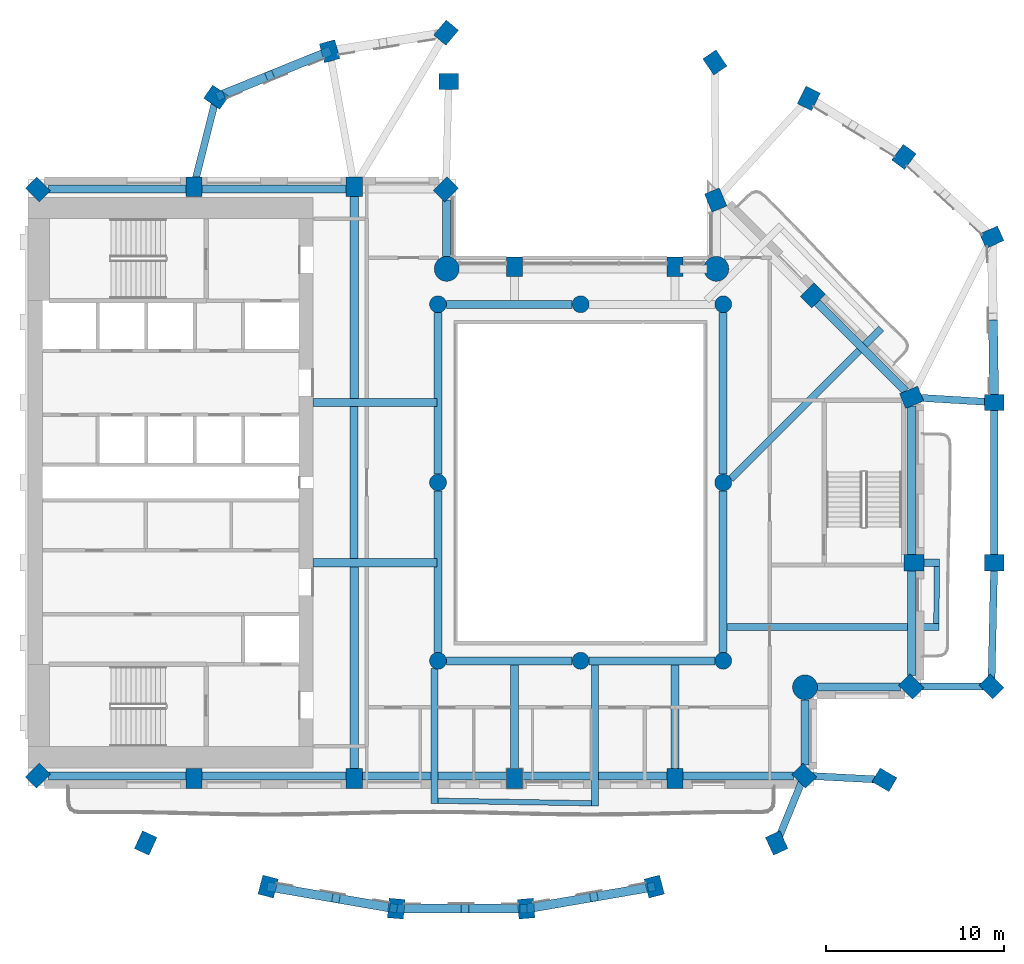
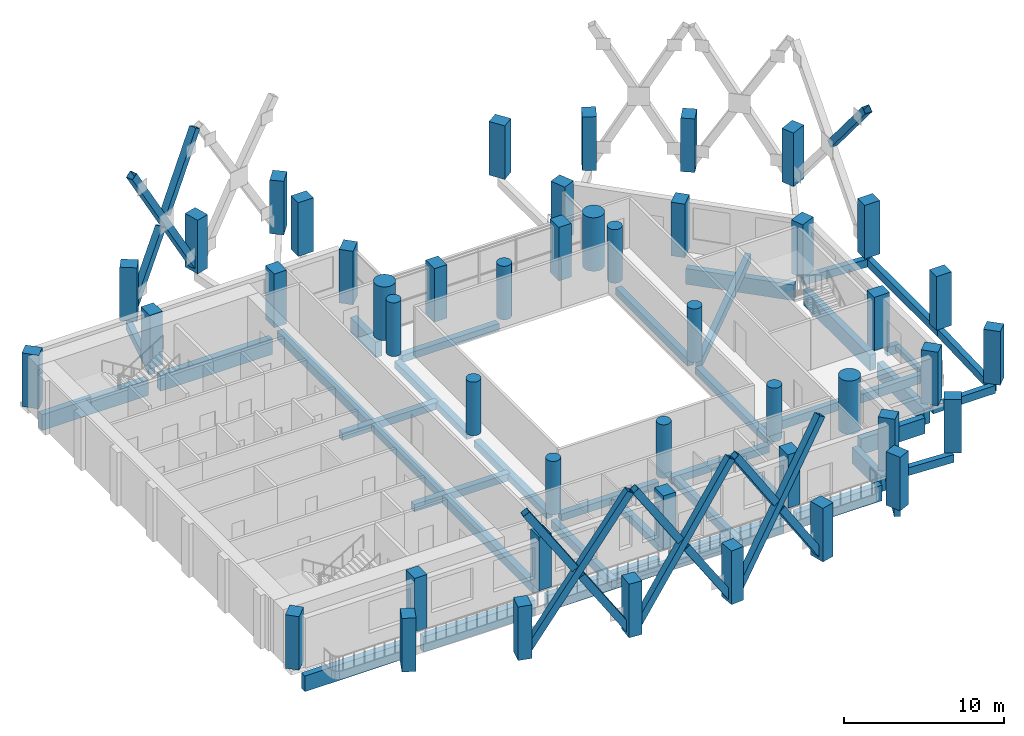
# One storey, part 1 of 15: 46 columns, 41 beams, 13 members.
"""IFC4 building model written with IfcOpenShell, lengths in metres."""

import ifcopenshell
import ifcopenshell.guid

model = None  # the IFC model being written
_history = None  # IfcOwnerHistory: only IFC2X3 demands one
_inside = {}  # id of a spatial element -> (the spatial element, [elements in it])
_under = {}  # id of a project, library or spatial element -> (it, [spatial elements below it])
_declared = {}  # id of a project -> (the project, [libraries it declares])
_typed = {}  # id of a type object -> (the type object, [elements of that type])
_made_of = {}  # id of a material, layer set ... -> (it, [elements and type objects made of it])


def new_model(schema):
    """Start an empty IFC model of exactly this schema.

    Asked for "IFC4X3", IfcOpenShell would pick the latest addendum, in which some entities
    have other attributes; the version numbers below select the first issue.
    IFC2X3 requires an IfcOwnerHistory on every rooted entity: one is made here for all.
    """
    global model, _history
    if schema == "IFC4X3":
        model = ifcopenshell.file(schema_version=(4, 3, 0, 0))
    else:
        model = ifcopenshell.file(schema=schema)
    _inside.clear()
    _under.clear()
    _declared.clear()
    _typed.clear()
    _made_of.clear()
    _history = None
    if model.schema == "IFC2X3":
        org = make("IfcOrganization", Name="unknown")
        user = make(
            "IfcPersonAndOrganization",
            ThePerson=make("IfcPerson", FamilyName="unknown"),
            TheOrganization=org,
        )
        app = make(
            "IfcApplication",
            ApplicationDeveloper=org,
            Version="unknown",
            ApplicationFullName="unknown",
            ApplicationIdentifier="unknown",
        )
        _history = make(
            "IfcOwnerHistory",
            OwningUser=user,
            OwningApplication=app,
            ChangeAction="ADDED",
            CreationDate=0,
        )
    return model


def make(cls, **values):
    """One entity of the class cls with the attributes given. An attribute that is None is left unset."""
    return model.create_entity(
        cls, **{name: value for name, value in values.items() if value is not None}
    )


def rooted(cls, **values):
    """An entity with a GlobalId (a new one), such as an element, a storey or a relation."""
    return make(cls, GlobalId=ifcopenshell.guid.new(), OwnerHistory=_history, **values)


def si_unit(unit_type, name, prefix=None):
    """IfcSIUnit, for example si_unit("LENGTHUNIT", "METRE", prefix="MILLI")."""
    return make("IfcSIUnit", UnitType=unit_type, Prefix=prefix, Name=name)


def assignment(units):
    """IfcUnitAssignment: the units of a project."""
    return None if units is None else make("IfcUnitAssignment", Units=units)


def point(xyz):
    """IfcCartesianPoint."""
    return None if xyz is None else make("IfcCartesianPoint", Coordinates=xyz)


def direction(xyz):
    """IfcDirection."""
    return None if xyz is None else make("IfcDirection", DirectionRatios=xyz)


def frame(location, z_axis=None, x_axis=None):
    """IfcAxis2Placement3D, a coordinate frame: its origin and axes. An axis left out is left unset."""
    return make(
        "IfcAxis2Placement3D",
        Location=point(location),
        Axis=direction(z_axis),
        RefDirection=direction(x_axis),
    )


def frame_2d(location, x_axis=None):
    """IfcAxis2Placement2D, a coordinate frame in the plane: its origin and x axis."""
    return make(
        "IfcAxis2Placement2D", Location=point(location), RefDirection=direction(x_axis)
    )


def origin():
    """The frame at (0, 0, 0) with its axes left unset."""
    return frame((0.0, 0.0, 0.0))


def origin_2d():
    """The frame at (0, 0) in the plane with its x axis left unset."""
    return frame_2d((0.0, 0.0))


def place(relative_to, where):
    """IfcLocalPlacement: puts the frame where relative to a parent placement (None: the world)."""
    return make(
        "IfcLocalPlacement", PlacementRelTo=relative_to, RelativePlacement=where
    )


def context(
    kind, dimensions, precision=None, world=None, true_north=None, identifier=None
):
    """IfcGeometricRepresentationContext, for example the 3D "Model" context."""
    return make(
        "IfcGeometricRepresentationContext",
        ContextIdentifier=identifier,
        ContextType=kind,
        CoordinateSpaceDimension=dimensions,
        Precision=precision,
        WorldCoordinateSystem=world,
        TrueNorth=true_north,
    )


def subcontext(parent, identifier, kind, view, scale=None):
    """IfcGeometricRepresentationSubContext, for example "Body" below "Model"."""
    return make(
        "IfcGeometricRepresentationSubContext",
        ContextIdentifier=identifier,
        ContextType=kind,
        ParentContext=parent,
        TargetScale=scale,
        TargetView=view,
    )


def project(units=None, contexts=None):
    """IfcProject with its units and contexts."""
    return rooted(
        "IfcProject",
        Name="project",
        RepresentationContexts=contexts,
        UnitsInContext=assignment(units),
    )


def spatial(cls, under=None, at=None, **own):
    """A site, building, storey or space (cls), placed at a placement, below another one or the project."""
    s = rooted(cls, ObjectPlacement=at, **own)
    if under is not None:
        _under.setdefault(under.id(), (under, []))[1].append(s)
    return s


def profile(cls, at=None, kind="AREA", **sizes):
    """A parametric profile (cls). Its sizes go by their IFC names, for example OverallWidth=200.0."""
    return make(cls, ProfileType=kind, Position=at, **sizes)


def rectangle(**sizes):
    """IfcRectangleProfileDef."""
    return profile("IfcRectangleProfileDef", **sizes)


def hollow_rectangle(**sizes):
    """IfcRectangleHollowProfileDef."""
    return profile("IfcRectangleHollowProfileDef", **sizes)


def circle(**sizes):
    """IfcCircleProfileDef."""
    return profile("IfcCircleProfileDef", **sizes)


def extrude(swept, where, along, depth):
    """IfcExtrudedAreaSolid: the profile swept, set in the frame where, extruded along a direction by depth."""
    return make(
        "IfcExtrudedAreaSolid",
        SweptArea=swept,
        Position=where,
        ExtrudedDirection=direction(along),
        Depth=depth,
    )


def shape(context_of_items, identifier, shape_type, items):
    """IfcShapeRepresentation: the items that make up one representation, for example the "Body"."""
    return make(
        "IfcShapeRepresentation",
        ContextOfItems=context_of_items,
        RepresentationIdentifier=identifier,
        RepresentationType=shape_type,
        Items=items,
    )


def material(Name=None, Category=None):
    """IfcMaterial."""
    return make("IfcMaterial", Name=Name, Category=Category)


def material_profile(
    of_material, cross_section, Name=None, Category=None, Priority=None
):
    """IfcMaterialProfile: a cross section and its material."""
    return make(
        "IfcMaterialProfile",
        Name=Name,
        Material=of_material,
        Profile=cross_section,
        Priority=Priority,
        Category=Category,
    )


def profile_set(profiles, Name=None, composite=None):
    """IfcMaterialProfileSet."""
    return make(
        "IfcMaterialProfileSet",
        Name=Name,
        MaterialProfiles=profiles,
        CompositeProfile=composite,
    )


def made_of(thing, what):
    """Note that an element or type object is made of a material, layer set ...; save() writes the relation."""
    if what is not None:
        _made_of.setdefault(what.id(), (what, []))[1].append(thing)
    return thing


def type_object(cls, material=None, **own):
    """A type object (cls), such as IfcWallType, which elements share."""
    return made_of(rooted(cls, **own), material)


def element(
    cls,
    number,
    at=None,
    inside=None,
    cuts=None,
    type_object=None,
    material=None,
    context=None,
    identifier="Body",
    shape_type=None,
    held_by="IfcProductDefinitionShape",
    body=None,
    shapes=None,
    **own,
):
    """One element of the class cls, such as IfcWall. Its Tag is "e" and its number.

    at: its placement. inside: the storey or other place that contains it. cuts: it is an
    opening in that element (IfcRelVoidsElement). A single representation is given by context,
    identifier, shape_type and body (its items); several are given by shapes. held_by: the class
    of the entity that holds the representations. save() writes the other relations.
    """
    e = rooted(cls, Tag="e%d" % number, ObjectPlacement=at, **own)
    if body is not None:
        shapes = [shape(context, identifier, shape_type, body)]
    if shapes is not None:
        e.Representation = make(held_by, Representations=shapes)
    if inside is not None:
        _inside.setdefault(inside.id(), (inside, []))[1].append(e)
    if cuts is not None:
        rooted(
            "IfcRelVoidsElement", RelatingBuildingElement=cuts, RelatedOpeningElement=e
        )
    if type_object is not None:
        _typed.setdefault(type_object.id(), (type_object, []))[1].append(e)
    return made_of(e, material)


def aggregate(whole, parts):
    """IfcRelAggregates: a whole, such as a stair, and the parts it consists of."""
    return rooted("IfcRelAggregates", RelatingObject=whole, RelatedObjects=parts)


def save(model, path):
    """Write the relations noted so far, then the file.

    IfcRelAggregates (storeys below a building ...), IfcRelContainedInSpatialStructure (elements
    in a storey), IfcRelDefinesByType, IfcRelAssociatesMaterial and IfcRelDeclares: one each for
    every whole, place, type object, material and project.
    """
    for whole, parts in _under.values():
        aggregate(whole, parts)
    for where, things in _inside.values():
        rooted(
            "IfcRelContainedInSpatialStructure",
            RelatedElements=things,
            RelatingStructure=where,
        )
    for kind, things in _typed.values():
        rooted("IfcRelDefinesByType", RelatedObjects=things, RelatingType=kind)
    for what, things in _made_of.values():
        rooted("IfcRelAssociatesMaterial", RelatedObjects=things, RelatingMaterial=what)
    for by, libraries in _declared.values():
        rooted("IfcRelDeclares", RelatingContext=by, RelatedDefinitions=libraries)
    model.write(path)


model = new_model("IFC4")

# Units and contexts
model_context = context("Model", 3, precision=1e-05, world=origin(), true_north=direction((0.0, 1.0)))
body_context = subcontext(model_context, "Body", "Model", "MODEL_VIEW")
ifc_project = project(units=[si_unit("LENGTHUNIT", "METRE"), si_unit("AREAUNIT", "SQUARE_METRE"), si_unit("VOLUMEUNIT", "CUBIC_METRE"), si_unit("PLANEANGLEUNIT", "RADIAN"), si_unit("MASSUNIT", "GRAM", prefix="KILO")], contexts=[model_context])

# Site, building, storey
site_placement = place(None, origin())
site = spatial("IfcSite", under=ifc_project, at=site_placement, CompositionType="ELEMENT")
building_placement = place(site_placement, origin())
building = spatial("IfcBuilding", under=site, at=building_placement, Name="Cypress Arch Tower", CompositionType="ELEMENT")
storey_placement = place(building_placement, frame((0.0, 0.0, 205.60009765625)))
storey = spatial("IfcBuildingStorey", under=building, at=storey_placement, Name="L45", CompositionType="ELEMENT", Elevation=205.60009765625)

# Columns
ifc_material_1 = material(Name="Concrete C70/85", Category="concrete")
ifc_material_profile_1 = material_profile(ifc_material_1, rectangle(XDim=0.89990234375, YDim=1.10009765625, at=origin_2d()), Name="RC 900x1100")
ifc_profile_set_1 = profile_set([ifc_material_profile_1], Name="Concrete C70/85")
column_type_1 = type_object("IfcColumnType", Name="Column RC 900x1100 Concrete C70/85", PredefinedType="COLUMN", material=ifc_profile_set_1)
for number, where, z_axis, x_axis, name in (
    (1, (-29.44287109375, 16.44287109375, 0.0), (0.0, 0.0, 1.0), (-0.707106781187, -0.707106781187, 0.0), "Column L45 CB00"),
    (2, (-29.44287109375, -16.44287109375, 0.0), (0.0, 0.0, 1.0), (0.707106781187, -0.707106781187, 0.0), "Column L45 CB01"),
    (3, (-20.699951171875, -16.60009765625, 0.0), (0.0, 0.0, 1.0), (1.0, 0.0, 0.0), "Column L45 CB02"),
    (4, (-11.699951171875, -16.60009765625, 0.0), (0.0, 0.0, 1.0), (1.0, 0.0, 0.0), "Column L45 CB03"),
    (5, (-2.699951171875, -16.60009765625, 0.0), (0.0, 0.0, 1.0), (1.0, 0.0, 0.0), "Column L45 CB04"),
    (6, (6.300048828125, -16.60009765625, 0.0), (0.0, 0.0, 1.0), (1.0, 0.0, 0.0), "Column L45 CB05"),
    (7, (13.54296875, -16.44287109375, 0.0), (0.0, 0.0, 1.0), (0.707106781187, 0.707106781187, 0.0), "Column L45 CB06"),
    (8, (19.54296875, -11.44287109375, 0.0), (0.0, 0.0, 1.0), (0.707106781187, 0.707106781187, 0.0), "Column L45 CB08"),
    (9, (19.699951171875, -4.5, 0.0), (0.0, 0.0, 1.0), (0.0, 1.0, 0.0), "Column L45 CB09"),
    (10, (19.569580078125, 4.7802734375, 0.0), (0.0, 0.0, 1.0), (-0.382683496864, 0.923879505795, 0.0), "Column L45 CB10"),
    (11, (14.029296875, 10.505126953125, 0.0), (0.0, 0.0, 1.0), (-0.707106781187, 0.707106781187, 0.0), "Column L45 CB11"),
    (12, (8.576171875, 15.850341796875, 0.0), (0.0, 0.0, 1.0), (-0.923879672772, -0.382683093746, 0.0), "Column L45 CB12"),
    (13, (6.300048828125, 12.10009765625, 0.0), (0.0, 0.0, 1.0), (-1.0, 0.0, 0.0), "Column L45 CB14"),
    (14, (-2.699951171875, 12.10009765625, 0.0), (0.0, 0.0, 1.0), (-1.0, 0.0, 0.0), "Column L45 CB15"),
    (15, (-6.55712890625, 16.44287109375, 0.0), (0.0, 0.0, 1.0), (-0.707106781187, 0.707106781187, 0.0), "Column L45 CB17"),
    (16, (-11.699951171875, 16.60009765625, 0.0), (0.0, 0.0, 1.0), (-1.0, 0.0, 0.0), "Column L45 CB18"),
    (17, (-20.699951171875, 16.60009765625, 0.0), (0.0, 0.0, 1.0), (-1.0, 0.0, 0.0), "Column L45 CB19"),
    (18, (8.53076171875, 23.564697265625, 0.0), (0.0, 0.0, 1.0), (-0.828469606019, -0.560034027451, 0.0), "Column L45 CQ00"),
    (19, (-6.39990234375, 22.5, 0.0), (0.0, 0.0, 1.0), (0.0, 1.0, 0.0), "Column L45 CQ01"),
    (20, (-6.54833984375, 25.236572265625, 0.0), (0.0, 0.0, 1.0), (-0.766063514674, 0.642764880407, 0.0), "Column L45 CQ02"),
    (21, (-13.081298828125, 24.193359375, 0.0), (0.0, 0.0, 1.0), (-0.96345574646, -0.267867550506, 0.0), "Column L45 CQ03"),
    (22, (-19.44189453125, 21.616943359375, 0.0), (0.0, 0.0, 1.0), (-0.565892599589, -0.824478966215, 0.0), "Column L45 CQ04"),
    (23, (-23.398193359375, -20.221435546875, 0.0), (0.0, 0.0, 1.0), (0.909932071487, -0.414757308891, 0.0), "Column L45 CQ05"),
    (24, (-16.529052734375, -22.666259765625, 0.0), (0.0, 0.0, 1.0), (0.96735573689, -0.2534223319, 0.0), "Column L45 CQ06"),
    (25, (-9.3427734375, -23.903564453125, 0.0), (0.0, 0.0, 1.0), (0.996368206733, -0.085149260784, 0.0), "Column L45 CQ07"),
    (26, (-2.057373046875, -23.903564453125, 0.0), (0.0, 0.0, 1.0), (0.996368206733, 0.085149260784, 0.0), "Column L45 CQ08"),
    (27, (5.12890625, -22.666259765625, 0.0), (0.0, 0.0, 1.0), (0.96735573689, 0.2534223319, 0.0), "Column L45 CQ09"),
    (28, (11.998291015625, -20.221435546875, 0.0), (0.0, 0.0, 1.0), (0.909932071487, 0.414757308891, 0.0), "Column L45 CQ10"),
    (29, (18.048095703125, -16.677490234375, 0.0), (0.0, 0.0, 1.0), (0.504399289829, 0.86347053014, 0.0), "Column L45 CQ11"),
    (30, (24.04296875, -11.44287109375, 0.0), (0.0, 0.0, 1.0), (0.707106781187, 0.707106781187, 0.0), "Column L45 CQ12"),
    (31, (24.199951171875, -4.5, 0.0), (0.0, 0.0, 1.0), (0.0, 1.0, 0.0), "Column L45 CQ13"),
    (32, (24.199951171875, 4.5, 0.0), (0.0, 0.0, 1.0), (0.0, 1.0, 0.0), "Column L45 CQ14"),
    (33, (24.06396484375, 13.75927734375, 0.0), (0.0, 0.0, 1.0), (-0.409765058504, 0.912191096662, 0.0), "Column L45 CQ15"),
    (34, (19.13818359375, 18.267578125, 0.0), (0.0, 0.0, 1.0), (-0.802798546114, 0.596250362144, 0.0), "Column L45 CQ16"),
    (35, (13.80322265625, 21.549072265625, 0.0), (0.0, 0.0, 1.0), (-0.893106499805, 0.44984528452, 0.0), "Column L45 CQ17"),
):
    element("IfcColumn", number, at=place(storey_placement, frame(where, z_axis=z_axis, x_axis=x_axis)), inside=storey, type_object=column_type_1, Name=name, PredefinedType="COLUMN", context=body_context, shape_type="SweptSolid", body=[
        extrude(rectangle(XDim=0.89990234375, YDim=1.10009765625, at=origin_2d()), origin(), (0.0, 0.0, 1.0), 4.099853515625),
    ])
ifc_material_2 = material(Name="Concrete C70/85", Category="concrete")
ifc_material_profile_2 = material_profile(ifc_material_2, circle(Radius=0.47509765625, at=origin_2d()), Name="RC D950")
ifc_profile_set_2 = profile_set([ifc_material_profile_2], Name="Concrete C70/85")
column_type_2 = type_object("IfcColumnType", Name="Column RC D950 Concrete C70/85", PredefinedType="COLUMN", material=ifc_profile_set_2)
for number, where, z_axis, x_axis, name in (
    (36, (-7.0, -10.0, 0.0), (0.0, 0.0, 1.0), (1.0, 0.0, 0.0), "Column L45 RNG-L45-G-7-10"),
    (37, (-7.0, 0.0, 0.0), (0.0, 0.0, 1.0), (1.0, 0.0, 0.0), "Column L45 RNG-L45-G-7+0"),
    (38, (-7.0, 10.0, 0.0), (0.0, 0.0, 1.0), (1.0, 0.0, 0.0), "Column L45 RNG-L45-G-7+10"),
    (39, (1.0, -10.0, 0.0), (0.0, 0.0, 1.0), (1.0, 0.0, 0.0), "Column L45 RNG-L45-G+1-10"),
    (40, (1.0, 10.0, 0.0), (0.0, 0.0, 1.0), (1.0, 0.0, 0.0), "Column L45 RNG-L45-G+1+10"),
    (41, (9.0, -10.0, 0.0), (0.0, 0.0, 1.0), (1.0, 0.0, 0.0), "Column L45 RNG-L45-G+9-10"),
    (42, (9.0, 0.0, 0.0), (0.0, 0.0, 1.0), (1.0, 0.0, 0.0), "Column L45 RNG-L45-G+9+0"),
    (43, (9.0, 10.0, 0.0), (0.0, 0.0, 1.0), (1.0, 0.0, 0.0), "Column L45 RNG-L45-G+9+10"),
):
    element("IfcColumn", number, at=place(storey_placement, frame(where, z_axis=z_axis, x_axis=x_axis)), inside=storey, type_object=column_type_2, Name=name, PredefinedType="COLUMN", context=body_context, shape_type="SweptSolid", body=[
        extrude(circle(Radius=0.47509765625, at=origin_2d()), origin(), (0.0, 0.0, 1.0), 4.099853515625),
    ])
ifc_material_3 = material(Name="Concrete C70/85", Category="concrete")
ifc_material_profile_3 = material_profile(ifc_material_3, circle(Radius=0.699951171875, at=origin_2d()), Name="RC D1400")
ifc_profile_set_3 = profile_set([ifc_material_profile_3], Name="Concrete C70/85")
column_type_3 = type_object("IfcColumnType", Name="Mega-column RC D1400 Concrete C70/85", PredefinedType="COLUMN", material=ifc_profile_set_3)
for number, where, z_axis, x_axis, name in (
    (44, (13.587890625, -11.48779296875, 0.0), (0.0, 0.0, 1.0), (1.0, 0.0, 0.0), "Column L45 CB07"),
    (45, (8.612060546875, 11.98779296875, 0.0), (0.0, 0.0, 1.0), (1.0, 0.0, 0.0), "Column L45 CB13"),
    (46, (-6.51220703125, 11.98779296875, 0.0), (0.0, 0.0, 1.0), (1.0, 0.0, 0.0), "Column L45 CB16"),
):
    element("IfcColumn", number, at=place(storey_placement, frame(where, z_axis=z_axis, x_axis=x_axis)), inside=storey, type_object=column_type_3, Name=name, PredefinedType="COLUMN", context=body_context, shape_type="SweptSolid", body=[
        extrude(circle(Radius=0.699951171875, at=origin_2d()), origin(), (0.0, 0.0, 1.0), 4.099853515625),
    ])

# Beams
ifc_material_4 = material(Name="Concrete C50/60", Category="concrete")
ifc_material_profile_4 = material_profile(ifc_material_4, rectangle(XDim=0.300048828125, YDim=0.39990234375, at=origin_2d()), Name="RC 300x400")
ifc_profile_set_4 = profile_set([ifc_material_profile_4], Name="Concrete C50/60")
beam_type_1 = type_object("IfcBeamType", Name="Balcony edge beam RC 300x400 Concrete C50/60", PredefinedType="BEAM", material=ifc_profile_set_4)
beam_1_placement = place(storey_placement, frame((20.952880859375, -7.89990234375, -0.5), z_axis=(0.010680706062, 0.999942959632, 0.0), x_axis=(-0.999942959632, 0.010680706062, 0.0)))
element("IfcBeam", 47, at=beam_1_placement, inside=storey, type_object=beam_type_1, Name="Balcony edge beam L45 B04", PredefinedType="BEAM", context=body_context, shape_type="SweptSolid", body=[
    extrude(rectangle(XDim=0.300048828125, YDim=0.39990234375, at=origin_2d()), origin(), (0.0, 0.0, 1.0), 3.2001953125),
])
ifc_material_5 = material(Name="Concrete C50/60", Category="concrete")
ifc_material_profile_5 = material_profile(ifc_material_5, rectangle(XDim=0.300048828125, YDim=0.449951171875, at=origin_2d()), Name="RC 300x450")
ifc_profile_set_5 = profile_set([ifc_material_profile_5], Name="Concrete C50/60")
beam_type_2 = type_object("IfcBeamType", Name="Balcony edge beam RC 300x450 Concrete C50/60", PredefinedType="BEAM", material=ifc_profile_set_5)
beam_2_placement = place(storey_placement, frame((-7.0, -17.8505859375, -0.525146484375), z_axis=(0.999862602281, -0.016576385617, 0.0), x_axis=(0.016576385617, 0.999862602281, 0.0)))
element("IfcBeam", 48, at=beam_2_placement, inside=storey, type_object=beam_type_2, Name="Balcony edge beam L45 B01", PredefinedType="BEAM", context=body_context, shape_type="SweptSolid", body=[
    extrude(rectangle(XDim=0.300048828125, YDim=0.449951171875, at=origin_2d()), origin(), (0.0, 0.0, 1.0), 8.601318359375),
])
ifc_material_6 = material(Name="Concrete C50/60", Category="concrete")
ifc_material_profile_6 = material_profile(ifc_material_6, rectangle(XDim=0.39990234375, YDim=0.64990234375, at=origin_2d()), Name="RC 400x650")
ifc_profile_set_6 = profile_set([ifc_material_profile_6], Name="Concrete C50/60")
beam_type_3 = type_object("IfcBeamType", Name="Cantilever beam RC 400x650 Concrete C50/60", PredefinedType="BEAM", material=ifc_profile_set_6)
beam_3_placement = place(storey_placement, frame((-7.199951171875, -10.4306640625, -0.625), z_axis=(0.0, -1.0, 0.0), x_axis=(1.0, 0.0, 0.0)))
element("IfcBeam", 49, at=beam_3_placement, inside=storey, type_object=beam_type_3, Name="Cantilever beam L45 B01 1", PredefinedType="BEAM", context=body_context, shape_type="SweptSolid", body=[
    extrude(rectangle(XDim=0.39990234375, YDim=0.64990234375, at=origin_2d()), origin(), (0.0, 0.0, 1.0), 7.56982421875),
])
beam_4_placement = place(storey_placement, frame((1.800048828125, -10.22509765625, -0.625), z_axis=(0.0, -1.0, 0.0), x_axis=(1.0, 0.0, 0.0)))
element("IfcBeam", 50, at=beam_4_placement, inside=storey, type_object=beam_type_3, Name="Cantilever beam L45 B01 2", PredefinedType="BEAM", context=body_context, shape_type="SweptSolid", body=[
    extrude(rectangle(XDim=0.39990234375, YDim=0.64990234375, at=origin_2d()), origin(), (0.0, 0.0, 1.0), 7.91796875),
])
beam_5_placement = place(storey_placement, frame((9.22509765625, -8.10009765625, -0.625), z_axis=(1.0, 0.0, 0.0), x_axis=(0.0, 1.0, 0.0)))
element("IfcBeam", 51, at=beam_5_placement, inside=storey, type_object=beam_type_3, Name="Cantilever beam L45 B04 1", PredefinedType="BEAM", context=body_context, shape_type="SweptSolid", body=[
    extrude(rectangle(XDim=0.39990234375, YDim=0.64990234375, at=origin_2d()), origin(), (0.0, 0.0, 1.0), 11.877685546875),
])
beam_6_placement = place(storey_placement, frame((20.25, -4.5, -0.625), z_axis=(1.0, 0.0, 0.0), x_axis=(0.0, 1.0, 0.0)))
element("IfcBeam", 52, at=beam_6_placement, inside=storey, type_object=beam_type_3, Name="Cantilever beam L45 B04 2", PredefinedType="BEAM", context=body_context, shape_type="SweptSolid", body=[
    extrude(rectangle(XDim=0.39990234375, YDim=0.64990234375, at=origin_2d()), origin(), (0.0, 0.0, 1.0), 0.886962890625),
])
beam_7_placement = place(storey_placement, frame((9.4287109375, 0.204345703125, -0.625), z_axis=(0.707106781187, 0.707106781187, 0.0), x_axis=(-0.707106781187, 0.707106781187, 0.0)))
element("IfcBeam", 53, at=beam_7_placement, inside=storey, type_object=beam_type_3, Name="Cantilever beam L45 B05 1", PredefinedType="BEAM", context=body_context, shape_type="SweptSolid", body=[
    extrude(rectangle(XDim=0.39990234375, YDim=0.64990234375, at=origin_2d()), origin(), (0.0, 0.0, 1.0), 11.939453125),
])

# Members
ifc_material_7 = material(Name="Steel ASTM A500 Grade C", Category="steel")
ifc_material_profile_7 = material_profile(ifc_material_7, hollow_rectangle(XDim=0.508056640625, YDim=0.508056640625, WallThickness=0.017578125, at=origin_2d()), Name="HSS 20x20x3/4")
ifc_profile_set_7 = profile_set([ifc_material_profile_7], Name="Steel ASTM A500 Grade C")
member_type = type_object("IfcMemberType", Name="Exoskeleton brace HSS 20x20x3/4 Steel ASTM A500 Grade C", PredefinedType="BRACE", material=ifc_profile_set_7)
member_1_placement = place(storey_placement, frame((-13.226806640625, 24.13427734375, 0.253662109375), z_axis=(-0.487398996973, -0.197419142906, 0.850569162246), x_axis=(0.375419205313, -0.926855123675, 0.0)))
element("IfcMember", 54, at=member_1_placement, inside=storey, type_object=member_type, Name="Exoskeleton brace L45 CQ03-CQ04a", PredefinedType="BRACE", context=body_context, shape_type="SweptSolid", body=[
    extrude(hollow_rectangle(XDim=0.508056640625, YDim=0.508056640625, WallThickness=0.017578125, at=origin_2d()), origin(), (0.0, 0.0, 1.0), 12.288818359375),
])
member_2_placement = place(storey_placement, frame((-13.226806640625, 24.13427734375, 10.84619140625), z_axis=(-0.4826891813, -0.195486816119, -0.853695530608), x_axis=(0.375378569734, -0.926871581927, 0.0)))
element("IfcMember", 55, at=member_2_placement, inside=storey, type_object=member_type, Name="Exoskeleton brace L45 CQ03-CQ04b1", PredefinedType="BRACE", context=body_context, shape_type="SweptSolid", body=[
    extrude(hollow_rectangle(XDim=0.508056640625, YDim=0.508056640625, WallThickness=0.017578125, at=origin_2d()), origin(), (0.0, 0.0, 1.0), 5.832275390625),
])
member_3_placement = place(storey_placement, frame((-19.21630859375, 21.708251953125, 0.393798828125), z_axis=(0.492196682615, 0.199382322457, 0.847342383641), x_axis=(-0.375451388539, 0.926842087329, 0.0)))
element("IfcMember", 56, at=member_3_placement, inside=storey, type_object=member_type, Name="Exoskeleton brace L45 CQ03-CQ04b2", PredefinedType="BRACE", context=body_context, shape_type="SweptSolid", body=[
    extrude(hollow_rectangle(XDim=0.508056640625, YDim=0.508056640625, WallThickness=0.017578125, at=origin_2d()), origin(), (0.0, 0.0, 1.0), 5.63623046875),
])
member_4_placement = place(storey_placement, frame((-16.371826171875, -22.693115234375, 0.242431640625), z_axis=(0.54108397622, -0.093192238053, 0.835789050805), x_axis=(0.169733395085, 0.9854900175, 0.0)))
element("IfcMember", 57, at=member_4_placement, inside=storey, type_object=member_type, Name="Exoskeleton brace L45 CQ06-CQ07a", PredefinedType="BRACE", context=body_context, shape_type="SweptSolid", body=[
    extrude(hollow_rectangle(XDim=0.508056640625, YDim=0.508056640625, WallThickness=0.017578125, at=origin_2d()), origin(), (0.0, 0.0, 1.0), 12.700439453125),
])
for number, where, z_axis, x_axis, name in (
    (58, (-16.371826171875, -22.693115234375, 10.857421875), (0.541069642562, -0.093207412325, -0.835796638056), (0.169764603538, 0.985484641882, 0.0), "Exoskeleton brace L45 CQ06-CQ07b1"),
    (59, (-9.499755859375, -23.876708984375, 0.242431640625), (-0.541069642562, 0.093207412325, 0.835796638056), (-0.169764603538, -0.985484641882, 0.0), "Exoskeleton brace L45 CQ06-CQ07b2"),
):
    element("IfcMember", number, at=place(storey_placement, frame(where, z_axis=z_axis, x_axis=x_axis)), inside=storey, type_object=member_type, Name=name, PredefinedType="BRACE", context=body_context, shape_type="SweptSolid", body=[
        extrude(hollow_rectangle(XDim=0.508056640625, YDim=0.508056640625, WallThickness=0.017578125, at=origin_2d()), origin(), (0.0, 0.0, 1.0), 5.964111328125),
    ])
member_5_placement = place(storey_placement, frame((-9.183349609375, -23.903564453125, 0.24267578125), z_axis=(0.548713142226, 0.0, 0.836010698226), x_axis=(0.0, 1.0, 0.0)))
element("IfcMember", 60, at=member_5_placement, inside=storey, type_object=member_type, Name="Exoskeleton brace L45 CQ07-CQ08a", PredefinedType="BRACE", context=body_context, shape_type="SweptSolid", body=[
    extrude(hollow_rectangle(XDim=0.508056640625, YDim=0.508056640625, WallThickness=0.017578125, at=origin_2d()), origin(), (0.0, 0.0, 1.0), 12.696533203125),
])
member_6_placement = place(storey_placement, frame((-9.183349609375, -23.903564453125, 10.857177734375), z_axis=(0.548703848846, 0.0, -0.836016797835), x_axis=(0.0, 1.0, 0.0)))
element("IfcMember", 61, at=member_6_placement, inside=storey, type_object=member_type, Name="Exoskeleton brace L45 CQ07-CQ08b1", PredefinedType="BRACE", context=body_context, shape_type="SweptSolid", body=[
    extrude(hollow_rectangle(XDim=0.508056640625, YDim=0.508056640625, WallThickness=0.017578125, at=origin_2d()), origin(), (0.0, 0.0, 1.0), 5.961669921875),
])
member_7_placement = place(storey_placement, frame((-2.216552734375, -23.903564453125, 0.24267578125), z_axis=(-0.548732469594, 0.0, 0.835998012446), x_axis=(0.0, -1.0, 0.0)))
element("IfcMember", 62, at=member_7_placement, inside=storey, type_object=member_type, Name="Exoskeleton brace L45 CQ07-CQ08b2", PredefinedType="BRACE", context=body_context, shape_type="SweptSolid", body=[
    extrude(hollow_rectangle(XDim=0.508056640625, YDim=0.508056640625, WallThickness=0.017578125, at=origin_2d()), origin(), (0.0, 0.0, 1.0), 5.9619140625),
])
member_8_placement = place(storey_placement, frame((-1.900146484375, -23.876708984375, 0.242431640625), z_axis=(0.54108397622, 0.093192238053, 0.835789050805), x_axis=(-0.169733395085, 0.9854900175, 0.0)))
element("IfcMember", 63, at=member_8_placement, inside=storey, type_object=member_type, Name="Exoskeleton brace L45 CQ08-CQ09a", PredefinedType="BRACE", context=body_context, shape_type="SweptSolid", body=[
    extrude(hollow_rectangle(XDim=0.508056640625, YDim=0.508056640625, WallThickness=0.017578125, at=origin_2d()), origin(), (0.0, 0.0, 1.0), 12.700439453125),
])
for number, where, z_axis, x_axis, name in (
    (64, (-1.900146484375, -23.876708984375, 10.857421875), (0.541069642562, 0.093207412325, -0.835796638056), (-0.169764603538, 0.985484641882, 0.0), "Exoskeleton brace L45 CQ08-CQ09b1"),
    (65, (4.971923828125, -22.693115234375, 0.242431640625), (-0.541069642562, -0.093207412325, 0.835796638056), (0.169764603538, -0.985484641882, 0.0), "Exoskeleton brace L45 CQ08-CQ09b2"),
):
    element("IfcMember", number, at=place(storey_placement, frame(where, z_axis=z_axis, x_axis=x_axis)), inside=storey, type_object=member_type, Name=name, PredefinedType="BRACE", context=body_context, shape_type="SweptSolid", body=[
        extrude(hollow_rectangle(XDim=0.508056640625, YDim=0.508056640625, WallThickness=0.017578125, at=origin_2d()), origin(), (0.0, 0.0, 1.0), 5.964111328125),
    ])
member_9_placement = place(storey_placement, frame((24.197509765625, 4.675048828125, 10.89013671875), z_axis=(-0.009394565825, 0.638830476121, -0.769290169515), x_axis=(-0.999891886048, -0.014704292442, 0.0)))
element("IfcMember", 66, at=member_9_placement, inside=storey, type_object=member_type, Name="Exoskeleton brace L45 CQ14-CQ15b1", PredefinedType="BRACE", context=body_context, shape_type="SweptSolid", body=[
    extrude(hollow_rectangle(XDim=0.508056640625, YDim=0.508056640625, WallThickness=0.017578125, at=origin_2d()), origin(), (0.0, 0.0, 1.0), 6.65283203125),
])

# Beams
ifc_material_8 = material(Name="Concrete C50/60", Category="concrete")
ifc_material_profile_8 = material_profile(ifc_material_8, rectangle(XDim=0.449951171875, YDim=0.550048828125, at=origin_2d()), Name="RC 450x550")
ifc_profile_set_8 = profile_set([ifc_material_profile_8], Name="Concrete C50/60")
beam_type_4 = type_object("IfcBeamType", Name="Floor beam RC 450x550 Concrete C50/60", PredefinedType="BEAM", material=ifc_profile_set_8)
for number, where, z_axis, x_axis, name in (
    (67, (-7.0, -9.52490234375, -0.5751953125), (0.0, 1.0, 0.0), (-1.0, 0.0, 0.0), "Floor beam L45 RB001"),
    (68, (-7.0, 0.47509765625, -0.5751953125), (0.0, 1.0, 0.0), (-1.0, 0.0, 0.0), "Floor beam L45 RB002"),
    (69, (9.0, -9.52490234375, -0.5751953125), (0.0, 1.0, 0.0), (-1.0, 0.0, 0.0), "Floor beam L45 RB003"),
    (70, (9.0, 0.47509765625, -0.5751953125), (0.0, 1.0, 0.0), (-1.0, 0.0, 0.0), "Floor beam L45 RB004"),
):
    element("IfcBeam", number, at=place(storey_placement, frame(where, z_axis=z_axis, x_axis=x_axis)), inside=storey, type_object=beam_type_4, Name=name, PredefinedType="BEAM", context=body_context, shape_type="SweptSolid", body=[
        extrude(rectangle(XDim=0.449951171875, YDim=0.550048828125, at=origin_2d()), origin(), (0.0, 0.0, 1.0), 9.0498046875),
    ])
for number, where, z_axis, x_axis, name in (
    (71, (-6.52490234375, -10.0, -0.5751953125), (1.0, 0.0, 0.0), (0.0, 1.0, 0.0), "Floor beam L45 RB005"),
    (72, (1.47509765625, -10.0, -0.5751953125), (1.0, 0.0, 0.0), (0.0, 1.0, 0.0), "Floor beam L45 RB006"),
    (73, (-6.52490234375, 10.0, -0.5751953125), (1.0, 0.0, 0.0), (0.0, 1.0, 0.0), "Floor beam L45 RB007"),
):
    element("IfcBeam", number, at=place(storey_placement, frame(where, z_axis=z_axis, x_axis=x_axis)), inside=storey, type_object=beam_type_4, Name=name, PredefinedType="BEAM", context=body_context, shape_type="SweptSolid", body=[
        extrude(rectangle(XDim=0.449951171875, YDim=0.550048828125, at=origin_2d()), origin(), (0.0, 0.0, 1.0), 7.0498046875),
    ])
for number, where, z_axis, x_axis, name in (
    (74, (-14.0, -4.5, -0.5751953125), (1.0, 0.0, 0.0), (0.0, 1.0, 0.0), "Floor beam L45 FB009"),
    (75, (-14.0, 4.5, -0.5751953125), (1.0, 0.0, 0.0), (0.0, 1.0, 0.0), "Floor beam L45 FB010"),
):
    element("IfcBeam", number, at=place(storey_placement, frame(where, z_axis=z_axis, x_axis=x_axis)), inside=storey, type_object=beam_type_4, Name=name, PredefinedType="BEAM", context=body_context, shape_type="SweptSolid", body=[
        extrude(rectangle(XDim=0.449951171875, YDim=0.550048828125, at=origin_2d()), origin(), (0.0, 0.0, 1.0), 6.949951171875),
    ])
beam_8_placement = place(storey_placement, frame((-11.699951171875, -4.27490234375, -0.5751953125), z_axis=(0.0, 1.0, 0.0), x_axis=(-1.0, 0.0, 0.0)))
element("IfcBeam", 76, at=beam_8_placement, inside=storey, type_object=beam_type_4, Name="Floor beam L45 FB012", PredefinedType="BEAM", context=body_context, shape_type="SweptSolid", body=[
    extrude(rectangle(XDim=0.449951171875, YDim=0.550048828125, at=origin_2d()), origin(), (0.0, 0.0, 1.0), 8.5498046875),
])
for number, where, z_axis, x_axis, name in (
    (77, (-2.699951171875, -16.050048828125, -0.5751953125), (0.0, 1.0, 0.0), (-1.0, 0.0, 0.0), "Floor beam L45 FB014"),
    (78, (6.300048828125, -16.050048828125, -0.5751953125), (0.0, 1.0, 0.0), (-1.0, 0.0, 0.0), "Floor beam L45 FB016"),
):
    element("IfcBeam", number, at=place(storey_placement, frame(where, z_axis=z_axis, x_axis=x_axis)), inside=storey, type_object=beam_type_4, Name=name, PredefinedType="BEAM", context=body_context, shape_type="SweptSolid", body=[
        extrude(rectangle(XDim=0.449951171875, YDim=0.550048828125, at=origin_2d()), origin(), (0.0, 0.0, 1.0), 5.824951171875),
    ])
ifc_material_9 = material(Name="Concrete C50/60", Category="concrete")
ifc_material_profile_9 = material_profile(ifc_material_9, rectangle(XDim=0.5, YDim=0.64990234375, at=origin_2d()), Name="RC 500x650")
ifc_profile_set_9 = profile_set([ifc_material_profile_9], Name="Concrete C50/60")
beam_type_5 = type_object("IfcBeamType", Name="Floor beam RC 500x650 Concrete C50/60", PredefinedType="BEAM", material=ifc_profile_set_9)
for number, where, z_axis, x_axis, name in (
    (79, (-11.699951171875, -16.050048828125, -0.625), (0.0, 1.0, 0.0), (-1.0, 0.0, 0.0), "Floor beam L45 FB011"),
    (80, (-11.699951171875, 4.72509765625, -0.625), (0.0, 1.0, 0.0), (-1.0, 0.0, 0.0), "Floor beam L45 FB013"),
):
    element("IfcBeam", number, at=place(storey_placement, frame(where, z_axis=z_axis, x_axis=x_axis)), inside=storey, type_object=beam_type_5, Name=name, PredefinedType="BEAM", context=body_context, shape_type="SweptSolid", body=[
        extrude(rectangle(XDim=0.5, YDim=0.64990234375, at=origin_2d()), origin(), (0.0, 0.0, 1.0), 11.324951171875),
    ])
ifc_material_10 = material(Name="Concrete C50/60", Category="concrete")
ifc_material_profile_10 = material_profile(ifc_material_10, rectangle(XDim=0.39990234375, YDim=0.60009765625, at=origin_2d()), Name="RC 400x600")
ifc_profile_set_10 = profile_set([ifc_material_profile_10], Name="Concrete C50/60")
beam_type_6 = type_object("IfcBeamType", Name="Pilotis tie beam RC 400x600 Concrete C50/60", PredefinedType="BEAM", material=ifc_profile_set_10)
beam_9_placement = place(storey_placement, frame((-19.44189453125, 21.616943359375, -0.60009765625), z_axis=(-0.243235271871, -0.969967320335, 0.0), x_axis=(0.969967320335, -0.243235271871, 0.0)))
element("IfcBeam", 81, at=beam_9_placement, inside=storey, type_object=beam_type_6, Name="Pilotis tie beam L45 CQ04-CB19", PredefinedType="BEAM", context=body_context, shape_type="SweptSolid", body=[
    extrude(rectangle(XDim=0.39990234375, YDim=0.60009765625, at=origin_2d()), origin(), (0.0, 0.0, 1.0), 5.172119140625),
])
beam_10_placement = place(storey_placement, frame((11.998291015625, -20.221435546875, -0.60009765625), z_axis=(0.378402283859, 0.925641243447, 0.0), x_axis=(-0.925641243447, 0.378402283859, 0.0)))
element("IfcBeam", 82, at=beam_10_placement, inside=storey, type_object=beam_type_6, Name="Pilotis tie beam L45 CQ10-CB06", PredefinedType="BEAM", context=body_context, shape_type="SweptSolid", body=[
    extrude(rectangle(XDim=0.39990234375, YDim=0.60009765625, at=origin_2d()), origin(), (0.0, 0.0, 1.0), 4.08203125),
])
beam_11_placement = place(storey_placement, frame((18.048095703125, -16.677490234375, -0.60009765625), z_axis=(-0.998646679968, 0.052007774316, 0.0), x_axis=(-0.052007774316, -0.998646679968, 0.0)))
element("IfcBeam", 83, at=beam_11_placement, inside=storey, type_object=beam_type_6, Name="Pilotis tie beam L45 CQ11-CB06", PredefinedType="BEAM", context=body_context, shape_type="SweptSolid", body=[
    extrude(rectangle(XDim=0.39990234375, YDim=0.60009765625, at=origin_2d()), origin(), (0.0, 0.0, 1.0), 4.51123046875),
])
beam_12_placement = place(storey_placement, frame((24.04296875, -11.44287109375, -0.60009765625), z_axis=(0.022604813971, 0.999744478547, 0.0), x_axis=(-0.999744478547, 0.022604813971, 0.0)))
element("IfcBeam", 84, at=beam_12_placement, inside=storey, type_object=beam_type_6, Name="Pilotis tie beam L45 CQ12-CQ13", PredefinedType="BEAM", context=body_context, shape_type="SweptSolid", body=[
    extrude(rectangle(XDim=0.39990234375, YDim=0.60009765625, at=origin_2d()), origin(), (0.0, 0.0, 1.0), 6.944580078125),
])
beam_13_placement = place(storey_placement, frame((24.04296875, -11.44287109375, -0.60009765625), z_axis=(-1.0, 0.0, 0.0), x_axis=(0.0, -1.0, 0.0)))
element("IfcBeam", 85, at=beam_13_placement, inside=storey, type_object=beam_type_6, Name="Pilotis tie beam L45 CQ12-CB08", PredefinedType="BEAM", context=body_context, shape_type="SweptSolid", body=[
    extrude(rectangle(XDim=0.39990234375, YDim=0.60009765625, at=origin_2d()), origin(), (0.0, 0.0, 1.0), 4.5),
])
beam_14_placement = place(storey_placement, frame((24.199951171875, 4.5, -0.60009765625), z_axis=(0.0, -1.0, 0.0), x_axis=(1.0, 0.0, 0.0)))
element("IfcBeam", 86, at=beam_14_placement, inside=storey, type_object=beam_type_6, Name="Pilotis tie beam L45 CQ14-CQ13", PredefinedType="BEAM", context=body_context, shape_type="SweptSolid", body=[
    extrude(rectangle(XDim=0.39990234375, YDim=0.60009765625, at=origin_2d()), origin(), (0.0, 0.0, 1.0), 9.0),
])
beam_15_placement = place(storey_placement, frame((24.199951171875, 4.5, -0.60009765625), z_axis=(-0.998173116263, 0.060418788225, 0.0), x_axis=(-0.060418788225, -0.998173116263, 0.0)))
element("IfcBeam", 87, at=beam_15_placement, inside=storey, type_object=beam_type_6, Name="Pilotis tie beam L45 CQ14-CB10", PredefinedType="BEAM", context=body_context, shape_type="SweptSolid", body=[
    extrude(rectangle(XDim=0.39990234375, YDim=0.60009765625, at=origin_2d()), origin(), (0.0, 0.0, 1.0), 4.638916015625),
])
ifc_material_11 = material(Name="Concrete C50/60", Category="concrete")
ifc_material_profile_11 = material_profile(ifc_material_11, rectangle(XDim=0.449951171875, YDim=1.199951171875, at=origin_2d()), Name="RC 450x1200")
ifc_profile_set_11 = profile_set([ifc_material_profile_11], Name="Concrete C50/60")
beam_type_7 = type_object("IfcBeamType", Name="Spandrel beam RC 450x1200 Concrete C50/60", PredefinedType="SPANDREL", material=ifc_profile_set_11)
beam_16_placement = place(storey_placement, frame((-28.838623046875, -16.47509765625, -1.550048828125), z_axis=(1.0, 0.0, 0.0), x_axis=(0.0, 1.0, 0.0)))
element("IfcBeam", 88, at=beam_16_placement, inside=storey, type_object=beam_type_7, Name="Spandrel beam L45 BB01-0", PredefinedType="SPANDREL", context=body_context, shape_type="SweptSolid", body=[
    extrude(rectangle(XDim=0.449951171875, YDim=1.199951171875, at=origin_2d()), origin(), (0.0, 0.0, 1.0), 7.688720703125),
])
for number, where, z_axis, x_axis, name in (
    (89, (-20.25, -16.47509765625, -1.550048828125), (1.0, 0.0, 0.0), (0.0, 1.0, 0.0), "Spandrel beam L45 BB01-1"),
    (90, (-11.25, -16.47509765625, -1.550048828125), (1.0, 0.0, 0.0), (0.0, 1.0, 0.0), "Spandrel beam L45 BB01-2"),
    (91, (-2.25, -16.47509765625, -1.550048828125), (1.0, 0.0, 0.0), (0.0, 1.0, 0.0), "Spandrel beam L45 BB01-3"),
):
    element("IfcBeam", number, at=place(storey_placement, frame(where, z_axis=z_axis, x_axis=x_axis)), inside=storey, type_object=beam_type_7, Name=name, PredefinedType="SPANDREL", context=body_context, shape_type="SweptSolid", body=[
        extrude(rectangle(XDim=0.449951171875, YDim=1.199951171875, at=origin_2d()), origin(), (0.0, 0.0, 1.0), 8.10009765625),
    ])
beam_17_placement = place(storey_placement, frame((6.75, -16.47509765625, -1.550048828125), z_axis=(1.0, 0.0, 0.0), x_axis=(0.0, 1.0, 0.0)))
element("IfcBeam", 92, at=beam_17_placement, inside=storey, type_object=beam_type_7, Name="Spandrel beam L45 BB01-4", PredefinedType="SPANDREL", context=body_context, shape_type="SweptSolid", body=[
    extrude(rectangle(XDim=0.449951171875, YDim=1.199951171875, at=origin_2d()), origin(), (0.0, 0.0, 1.0), 6.188720703125),
])
beam_18_placement = place(storey_placement, frame((13.574951171875, -15.838623046875, -1.550048828125), z_axis=(0.0, 1.0, 0.0), x_axis=(-1.0, 0.0, 0.0)))
element("IfcBeam", 93, at=beam_18_placement, inside=storey, type_object=beam_type_7, Name="Spandrel beam L45 BB02-0", PredefinedType="SPANDREL", context=body_context, shape_type="SweptSolid", body=[
    extrude(rectangle(XDim=0.449951171875, YDim=1.199951171875, at=origin_2d()), origin(), (0.0, 0.0, 1.0), 3.651123046875),
])
beam_19_placement = place(storey_placement, frame((14.28759765625, -11.47509765625, -1.550048828125), z_axis=(1.0, 0.0, 0.0), x_axis=(0.0, 1.0, 0.0)))
element("IfcBeam", 94, at=beam_19_placement, inside=storey, type_object=beam_type_7, Name="Spandrel beam L45 BB03-0", PredefinedType="SPANDREL", context=body_context, shape_type="SweptSolid", body=[
    extrude(rectangle(XDim=0.449951171875, YDim=1.199951171875, at=origin_2d()), origin(), (0.0, 0.0, 1.0), 4.651123046875),
])
beam_20_placement = place(storey_placement, frame((19.574951171875, -10.838623046875, -1.550048828125), z_axis=(0.0, 1.0, 0.0), x_axis=(-1.0, 0.0, 0.0)))
element("IfcBeam", 95, at=beam_20_placement, inside=storey, type_object=beam_type_7, Name="Spandrel beam L45 BB04-0", PredefinedType="SPANDREL", context=body_context, shape_type="SweptSolid", body=[
    extrude(rectangle(XDim=0.449951171875, YDim=1.199951171875, at=origin_2d()), origin(), (0.0, 0.0, 1.0), 5.888671875),
])
beam_21_placement = place(storey_placement, frame((19.574951171875, -4.050048828125, -1.550048828125), z_axis=(0.0, 1.0, 0.0), x_axis=(-1.0, 0.0, 0.0)))
element("IfcBeam", 96, at=beam_21_placement, inside=storey, type_object=beam_type_7, Name="Spandrel beam L45 BB04-1", PredefinedType="SPANDREL", context=body_context, shape_type="SweptSolid", body=[
    extrude(rectangle(XDim=0.449951171875, YDim=1.199951171875, at=origin_2d()), origin(), (0.0, 0.0, 1.0), 8.345458984375),
])
beam_22_placement = place(storey_placement, frame((19.23046875, 5.126953125, -1.550048828125), z_axis=(-0.707106781187, 0.707106781187, 0.0), x_axis=(-0.707106781187, -0.707106781187, 0.0)))
element("IfcBeam", 97, at=beam_22_placement, inside=storey, type_object=beam_type_7, Name="Spandrel beam L45 BB05-0", PredefinedType="SPANDREL", context=body_context, shape_type="SweptSolid", body=[
    extrude(rectangle(XDim=0.449951171875, YDim=1.199951171875, at=origin_2d()), origin(), (0.0, 0.0, 1.0), 7.03076171875),
])
beam_23_placement = place(storey_placement, frame((-6.52490234375, 12.6875, -1.550048828125), z_axis=(0.0, 1.0, 0.0), x_axis=(-1.0, 0.0, 0.0)))
element("IfcBeam", 98, at=beam_23_placement, inside=storey, type_object=beam_type_7, Name="Spandrel beam L45 BB08-0", PredefinedType="SPANDREL", context=body_context, shape_type="SweptSolid", body=[
    extrude(rectangle(XDim=0.449951171875, YDim=1.199951171875, at=origin_2d()), origin(), (0.0, 0.0, 1.0), 3.151123046875),
])
beam_24_placement = place(storey_placement, frame((-12.14990234375, 16.47509765625, -1.550048828125), z_axis=(-1.0, 0.0, 0.0), x_axis=(0.0, -1.0, 0.0)))
element("IfcBeam", 99, at=beam_24_placement, inside=storey, type_object=beam_type_7, Name="Spandrel beam L45 BB09-1", PredefinedType="SPANDREL", context=body_context, shape_type="SweptSolid", body=[
    extrude(rectangle(XDim=0.449951171875, YDim=1.199951171875, at=origin_2d()), origin(), (0.0, 0.0, 1.0), 8.10009765625),
])
beam_25_placement = place(storey_placement, frame((-21.14990234375, 16.47509765625, -1.550048828125), z_axis=(-1.0, 0.0, 0.0), x_axis=(0.0, -1.0, 0.0)))
element("IfcBeam", 100, at=beam_25_placement, inside=storey, type_object=beam_type_7, Name="Spandrel beam L45 BB09-2", PredefinedType="SPANDREL", context=body_context, shape_type="SweptSolid", body=[
    extrude(rectangle(XDim=0.449951171875, YDim=1.199951171875, at=origin_2d()), origin(), (0.0, 0.0, 1.0), 7.688720703125),
])

save(model, "model.ifc")
